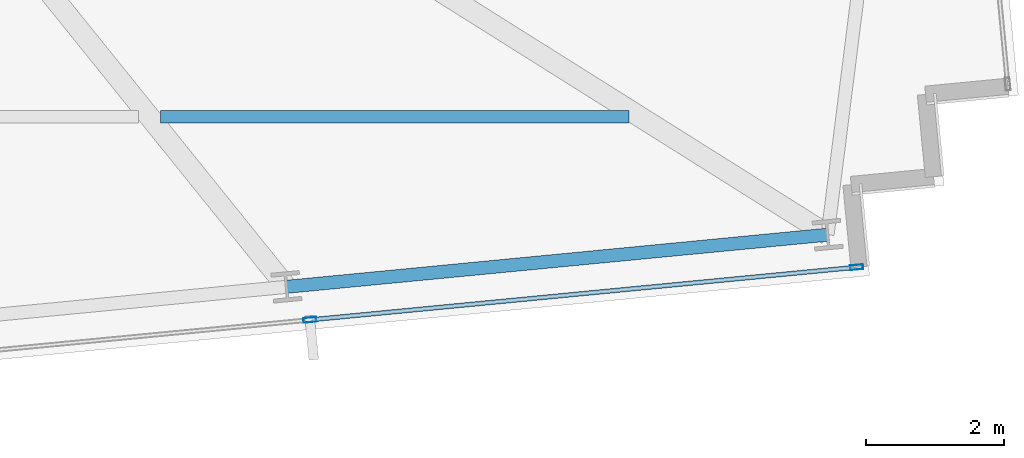
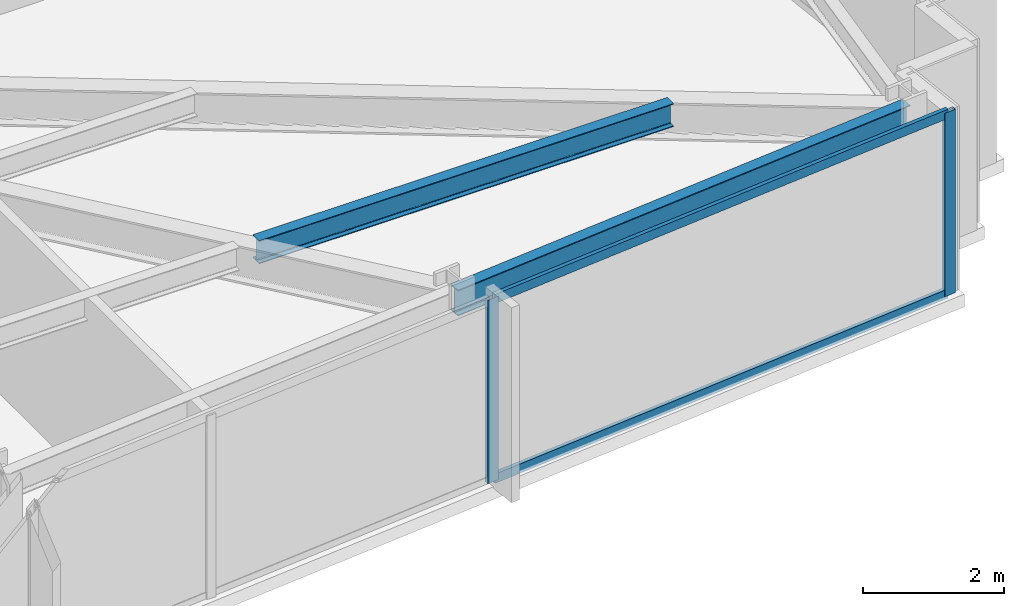
# One storey, part 12 of 33: 4 members, 2 beams, 1 element without a shape of its own.
"""IFC4 building model written with IfcOpenShell, lengths in metres."""

from ifc_helpers import new_model, si_unit, direction, frame, origin, origin_2d, place, context, subcontext, project, spatial, hollow_rectangle, i_section, extrude, material, material_profile, profile_set, type_object, element, aggregate, save


model = new_model("IFC4")

# Units and contexts
model_context = context("Model", 3, precision=1e-05, world=origin(), true_north=direction((0.0, 1.0)))
body_context = subcontext(model_context, "Body", "Model", "MODEL_VIEW")
ifc_project = project(units=[si_unit("LENGTHUNIT", "METRE"), si_unit("AREAUNIT", "SQUARE_METRE"), si_unit("VOLUMEUNIT", "CUBIC_METRE"), si_unit("PLANEANGLEUNIT", "RADIAN"), si_unit("MASSUNIT", "GRAM", prefix="KILO")], contexts=[model_context])

# Site, building, storey
site_placement = place(None, origin())
site = spatial("IfcSite", under=ifc_project, at=site_placement, CompositionType="ELEMENT")
building_placement = place(site_placement, origin())
building = spatial("IfcBuilding", under=site, at=building_placement, Name="Yelkora Congress Tower", CompositionType="ELEMENT")
storey_placement = place(building_placement, frame((0.0, 0.0, 106.699951171875)))
storey = spatial("IfcBuildingStorey", under=building, at=storey_placement, Name="L28", CompositionType="ELEMENT", Elevation=106.699951171875)

# Beams
ifc_material_1 = material(Name="Steel S355J2", Category="steel")
ifc_material_profile_1 = material_profile(ifc_material_1, i_section(OverallWidth=0.179931640625, OverallDepth=0.39990234375, WebThickness=0.008544921875, FlangeThickness=0.013427734375, FilletRadius=0.02099609375, at=origin_2d()), Name="IPE 400")
ifc_profile_set_1 = profile_set([ifc_material_profile_1], Name="Steel S355J2")
beam_type_1 = type_object("IfcBeamType", Name="BM-JOIST-IPE400", PredefinedType="JOIST", material=ifc_profile_set_1)
beam_1_placement = place(storey_placement, frame((65.056396484375, 16.144287109375, 2.97998046875), z_axis=(1.0, 0.0, 0.0), x_axis=(0.0, 1.0, 0.0)))
element("IfcBeam", 1, at=beam_1_placement, inside=storey, type_object=beam_type_1, Name="L28 Composite Floor Joist 10", PredefinedType="JOIST", context=body_context, shape_type="SweptSolid", body=[
    extrude(i_section(OverallWidth=0.179931640625, OverallDepth=0.39990234375, WebThickness=0.008544921875, FlangeThickness=0.013427734375, FilletRadius=0.02099609375, at=origin_2d()), origin(), (0.0, 0.0, 1.0), 6.795166015625),
])
ifc_material_profile_2 = material_profile(ifc_material_1, i_section(OverallWidth=0.18994140625, OverallDepth=0.449951171875, WebThickness=0.009521484375, FlangeThickness=0.0146484375, FilletRadius=0.02099609375, at=origin_2d()), Name="IPE 450")
ifc_profile_set_2 = profile_set([ifc_material_profile_2], Name="Steel S355J2")
beam_type_2 = type_object("IfcBeamType", Name="BM-SPAN-IPE450", PredefinedType="SPANDREL", material=ifc_profile_set_2)
beam_2_placement = place(storey_placement, frame((66.882568359375, 13.67919921875, 2.955078125), z_axis=(0.995395575667, 0.095852219286, 0.0), x_axis=(-0.095852219286, 0.995395575667, 0.0)))
element("IfcBeam", 2, at=beam_2_placement, inside=storey, type_object=beam_type_2, Name="L28 Perimeter Beam 9", PredefinedType="SPANDREL", context=body_context, shape_type="SweptSolid", body=[
    extrude(i_section(OverallWidth=0.18994140625, OverallDepth=0.449951171875, WebThickness=0.009521484375, FlangeThickness=0.0146484375, FilletRadius=0.02099609375, at=origin_2d()), origin(), (0.0, 0.0, 1.0), 7.8857421875),
])

# Curtain wall, members
ifc_material_2 = material(Name="Anodised aluminium and insulated glass", Category="aluminium")
curtain_wall_type = type_object("IfcCurtainWallType", Name="CW-SYS-B2", PredefinedType="NOTDEFINED", material=ifc_material_2)
curtain_wall_placement = place(storey_placement, origin())
curtain_wall = element("IfcCurtainWall", 3, at=curtain_wall_placement, inside=storey, type_object=curtain_wall_type, Name="L28 Unitised Curtain Wall 20", PredefinedType="NOTDEFINED")
ifc_material_3 = material(Name="Anodised aluminium 6063-T6", Category="aluminium")
ifc_material_profile_3 = material_profile(ifc_material_3, hollow_rectangle(XDim=0.070068359375, YDim=0.18994140625, WallThickness=0.00390625, at=origin_2d()), Name="ALU 70x190x4")
ifc_profile_set_3 = profile_set([ifc_material_profile_3], Name="Anodised aluminium 6063-T6")
member_type_1 = type_object("IfcMemberType", Name="MEM-ML-B2", PredefinedType="MULLION", material=ifc_profile_set_3)
member_1_placement = place(storey_placement, frame((75.154052734375, 13.96337890625, 0.0), z_axis=(0.0, 0.0, 1.0), x_axis=(0.095844345816, -0.995396333816, 0.0)))
member_1 = element("IfcMember", 4, at=member_1_placement, type_object=member_type_1, Name="CW-B2 mullion 1", PredefinedType="MULLION", context=body_context, shape_type="SweptSolid", body=[
    extrude(hollow_rectangle(XDim=0.070068359375, YDim=0.18994140625, WallThickness=0.00390625, at=origin_2d()), origin(), (0.0, 0.0, 1.0), 3.179931640625),
])
member_2_placement = place(storey_placement, frame((67.222900390625, 13.19970703125, 0.0), z_axis=(0.0, 0.0, 1.0), x_axis=(0.095844345816, -0.995396333816, 0.0)))
member_2 = element("IfcMember", 5, at=member_2_placement, type_object=member_type_1, Name="CW-B2 mullion 2", PredefinedType="MULLION", context=body_context, shape_type="SweptSolid", body=[
    extrude(hollow_rectangle(XDim=0.070068359375, YDim=0.18994140625, WallThickness=0.00390625, at=origin_2d()), origin(), (0.0, 0.0, 1.0), 3.179931640625),
])
ifc_material_profile_4 = material_profile(ifc_material_3, hollow_rectangle(XDim=0.06494140625, YDim=0.159912109375, WallThickness=0.00390625, at=origin_2d()), Name="ALU 65x160x4")
ifc_profile_set_4 = profile_set([ifc_material_profile_4], Name="Anodised aluminium 6063-T6")
member_type_2 = type_object("IfcMemberType", Name="MEM-TR-B2", PredefinedType="USERDEFINED", material=ifc_profile_set_4)
member_3_placement = place(storey_placement, frame((75.119140625, 13.9599609375, 0.032470703125), z_axis=(-0.995397978421, -0.095827264157, 0.0), x_axis=(0.095827264157, -0.995397978421, 0.0)))
member_3 = element("IfcMember", 6, at=member_3_placement, type_object=member_type_2, Name="CW-B2 transom 1.1", ObjectType="TRANSOM", PredefinedType="USERDEFINED", context=body_context, shape_type="SweptSolid", body=[
    extrude(hollow_rectangle(XDim=0.06494140625, YDim=0.159912109375, WallThickness=0.00390625, at=origin_2d()), origin(), (0.0, 0.0, 1.0), 7.89794921875),
])
member_4_placement = place(storey_placement, frame((75.119140625, 13.9599609375, 3.1474609375), z_axis=(-0.995397978421, -0.095827264157, 0.0), x_axis=(0.095827264157, -0.995397978421, 0.0)))
member_4 = element("IfcMember", 7, at=member_4_placement, type_object=member_type_2, Name="CW-B2 transom 1.2", ObjectType="TRANSOM", PredefinedType="USERDEFINED", context=body_context, shape_type="SweptSolid", body=[
    extrude(hollow_rectangle(XDim=0.06494140625, YDim=0.159912109375, WallThickness=0.00390625, at=origin_2d()), origin(), (0.0, 0.0, 1.0), 7.89794921875),
])
aggregate(curtain_wall, [member_1, member_2, member_3, member_4])

save(model, "model.ifc")
